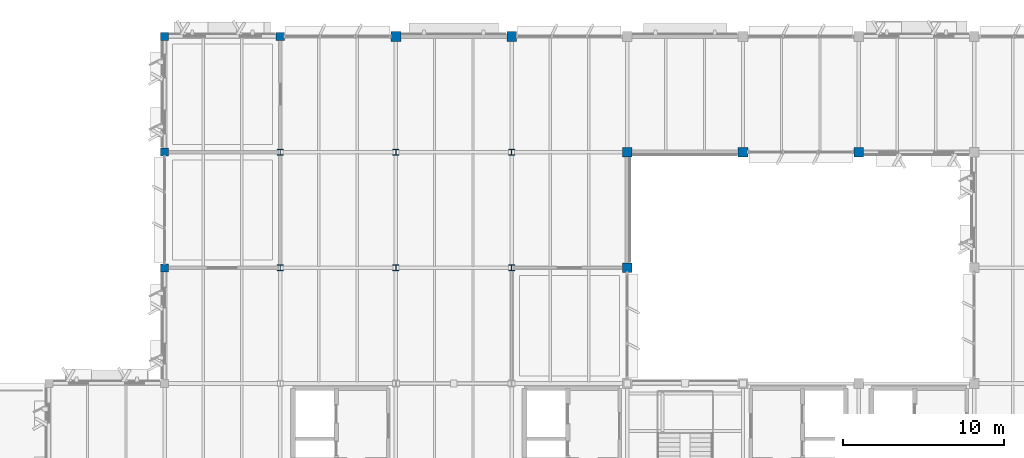
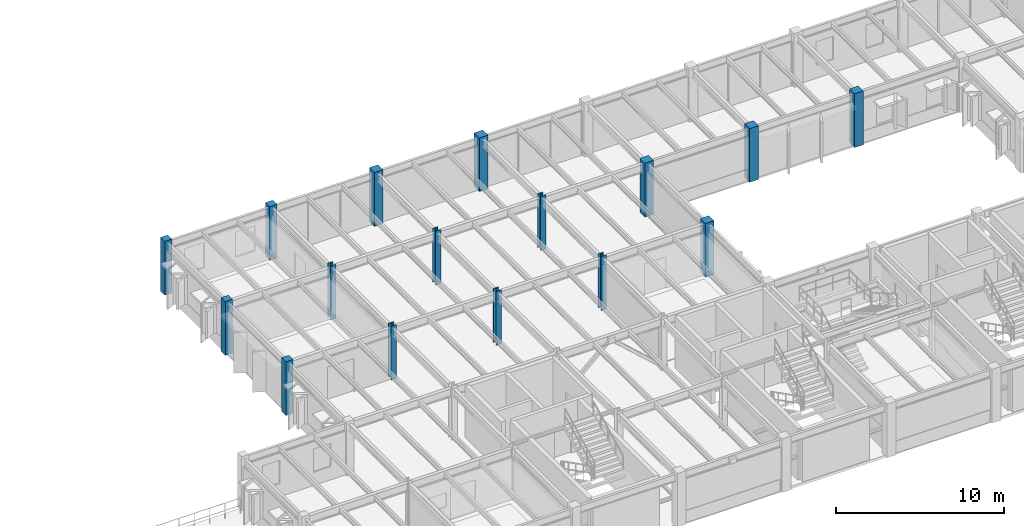
# One storey, part 4 of 35: 16 columns.
"""IFC4 building model written with IfcOpenShell, lengths in metres."""

from ifc_helpers import new_model, si_unit, direction, frame, origin, origin_2d, place, context, subcontext, project, spatial, rectangle, i_section, extrude, material, material_profile, profile_set, type_object, element, save


model = new_model("IFC4")

# Units and contexts
model_context = context("Model", 3, precision=1e-05, world=origin(), true_north=direction((0.0, 1.0)))
body_context = subcontext(model_context, "Body", "Model", "MODEL_VIEW")
ifc_project = project(units=[si_unit("LENGTHUNIT", "METRE"), si_unit("AREAUNIT", "SQUARE_METRE"), si_unit("VOLUMEUNIT", "CUBIC_METRE"), si_unit("PLANEANGLEUNIT", "RADIAN"), si_unit("MASSUNIT", "GRAM", prefix="KILO")], contexts=[model_context])

# Site, building, storey
site_placement = place(None, origin())
site = spatial("IfcSite", under=ifc_project, at=site_placement, CompositionType="ELEMENT")
building_placement = place(site_placement, origin())
building = spatial("IfcBuilding", under=site, at=building_placement, Name="Sillqori Civic Hall", CompositionType="ELEMENT")
storey_placement = place(building_placement, frame((0.0, 0.0, 18.0)))
storey = spatial("IfcBuildingStorey", under=building, at=storey_placement, Name="L05", CompositionType="ELEMENT", Elevation=18.0)

# Columns
ifc_material_1 = material(Name="Concrete C35/45 (H35)", Category="concrete")
ifc_material_profile_1 = material_profile(ifc_material_1, rectangle(XDim=0.5, YDim=0.5, at=origin_2d()), Name="RC 500x500")
ifc_profile_set_1 = profile_set([ifc_material_profile_1], Name="Concrete C35/45 (H35)")
column_type_1 = type_object("IfcColumnType", Name="COL-RC500", PredefinedType="COLUMN", material=ifc_profile_set_1)
for number, where, z_axis, x_axis, name in (
    (1, (43.199951171875, 100.800048828125, 0.0), (0.0, 0.0, 1.0), (1.0, 0.0, 0.0), "L05 column 6-14"),
    (2, (43.199951171875, 108.0, 0.0), (0.0, 0.0, 1.0), (1.0, 0.0, 0.0), "L05 column 6-15"),
    (3, (43.199951171875, 115.199951171875, 0.0), (0.0, 0.0, 1.0), (1.0, 0.0, 0.0), "L05 column 6-16"),
    (4, (50.39990234375, 115.199951171875, 0.0), (0.0, 0.0, 1.0), (1.0, 0.0, 0.0), "L05 column 7-16"),
):
    element("IfcColumn", number, at=place(storey_placement, frame(where, z_axis=z_axis, x_axis=x_axis)), inside=storey, type_object=column_type_1, Name=name, PredefinedType="COLUMN", context=body_context, shape_type="SweptSolid", body=[
        extrude(rectangle(XDim=0.5, YDim=0.5, at=origin_2d()), origin(), (0.0, 0.0, 1.0), 3.89990234375),
    ])
ifc_material_profile_2 = material_profile(ifc_material_1, rectangle(XDim=0.60009765625, YDim=0.60009765625, at=origin_2d()), Name="RC 600x600")
ifc_profile_set_2 = profile_set([ifc_material_profile_2], Name="Concrete C35/45 (H35)")
column_type_2 = type_object("IfcColumnType", Name="COL-RC600", PredefinedType="COLUMN", material=ifc_profile_set_2)
for number, where, z_axis, x_axis, name in (
    (5, (57.60009765625, 115.199951171875, 0.0), (0.0, 0.0, 1.0), (1.0, 0.0, 0.0), "L05 column 8-16"),
    (6, (64.800048828125, 115.199951171875, 0.0), (0.0, 0.0, 1.0), (1.0, 0.0, 0.0), "L05 column 9-16"),
    (7, (72.0, 100.800048828125, 0.0), (0.0, 0.0, 1.0), (1.0, 0.0, 0.0), "L05 column 10-14"),
    (8, (72.0, 108.0, 0.0), (0.0, 0.0, 1.0), (1.0, 0.0, 0.0), "L05 column 10-15"),
    (9, (79.199951171875, 108.0, 0.0), (0.0, 0.0, 1.0), (1.0, 0.0, 0.0), "L05 column 11-15"),
    (10, (86.39990234375, 108.0, 0.0), (0.0, 0.0, 1.0), (1.0, 0.0, 0.0), "L05 column 12-15"),
):
    element("IfcColumn", number, at=place(storey_placement, frame(where, z_axis=z_axis, x_axis=x_axis)), inside=storey, type_object=column_type_2, Name=name, PredefinedType="COLUMN", context=body_context, shape_type="SweptSolid", body=[
        extrude(rectangle(XDim=0.60009765625, YDim=0.60009765625, at=origin_2d()), origin(), (0.0, 0.0, 1.0), 3.89990234375),
    ])
ifc_material_2 = material(Name="Steel ASTM A992", Category="steel")
ifc_material_profile_3 = material_profile(ifc_material_2, i_section(OverallWidth=0.373046875, OverallDepth=0.367919921875, WebThickness=0.014892578125, FlangeThickness=0.02392578125, FilletRadius=0.014892578125, at=origin_2d()), Name="W14X120")
ifc_profile_set_3 = profile_set([ifc_material_profile_3], Name="Steel ASTM A992")
column_type_3 = type_object("IfcColumnType", Name="COL-W14X120", PredefinedType="COLUMN", material=ifc_profile_set_3)
for number, where, z_axis, x_axis, name in (
    (11, (57.60009765625, 100.800048828125, 0.0), (0.0, 0.0, 1.0), (1.0, 0.0, 0.0), "L05 column 8-14"),
    (12, (57.60009765625, 108.0, 0.0), (0.0, 0.0, 1.0), (1.0, 0.0, 0.0), "L05 column 8-15"),
    (13, (64.800048828125, 100.800048828125, 0.0), (0.0, 0.0, 1.0), (1.0, 0.0, 0.0), "L05 column 9-14"),
    (14, (64.800048828125, 108.0, 0.0), (0.0, 0.0, 1.0), (1.0, 0.0, 0.0), "L05 column 9-15"),
):
    element("IfcColumn", number, at=place(storey_placement, frame(where, z_axis=z_axis, x_axis=x_axis)), inside=storey, type_object=column_type_3, Name=name, PredefinedType="COLUMN", context=body_context, shape_type="SweptSolid", body=[
        extrude(i_section(OverallWidth=0.373046875, OverallDepth=0.367919921875, WebThickness=0.014892578125, FlangeThickness=0.02392578125, FilletRadius=0.014892578125, at=origin_2d()), origin(), (0.0, 0.0, 1.0), 3.89990234375),
    ])
ifc_material_profile_4 = material_profile(ifc_material_2, i_section(OverallWidth=0.37109375, OverallDepth=0.361083984375, WebThickness=0.012451171875, FlangeThickness=0.019775390625, FilletRadius=0.014892578125, at=origin_2d()), Name="W14X99")
ifc_profile_set_4 = profile_set([ifc_material_profile_4], Name="Steel ASTM A992")
column_type_4 = type_object("IfcColumnType", Name="COL-W14X99", PredefinedType="COLUMN", material=ifc_profile_set_4)
for number, where, z_axis, x_axis, name in (
    (15, (50.39990234375, 100.800048828125, 0.0), (0.0, 0.0, 1.0), (1.0, 0.0, 0.0), "L05 column 7-14"),
    (16, (50.39990234375, 108.0, 0.0), (0.0, 0.0, 1.0), (1.0, 0.0, 0.0), "L05 column 7-15"),
):
    element("IfcColumn", number, at=place(storey_placement, frame(where, z_axis=z_axis, x_axis=x_axis)), inside=storey, type_object=column_type_4, Name=name, PredefinedType="COLUMN", context=body_context, shape_type="SweptSolid", body=[
        extrude(i_section(OverallWidth=0.37109375, OverallDepth=0.361083984375, WebThickness=0.012451171875, FlangeThickness=0.019775390625, FilletRadius=0.014892578125, at=origin_2d()), origin(), (0.0, 0.0, 1.0), 3.89990234375),
    ])

save(model, "model.ifc")
